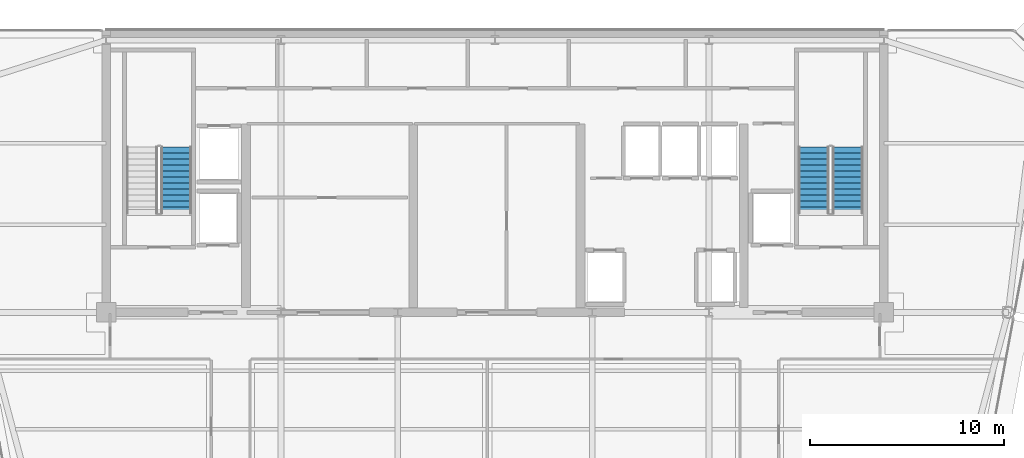
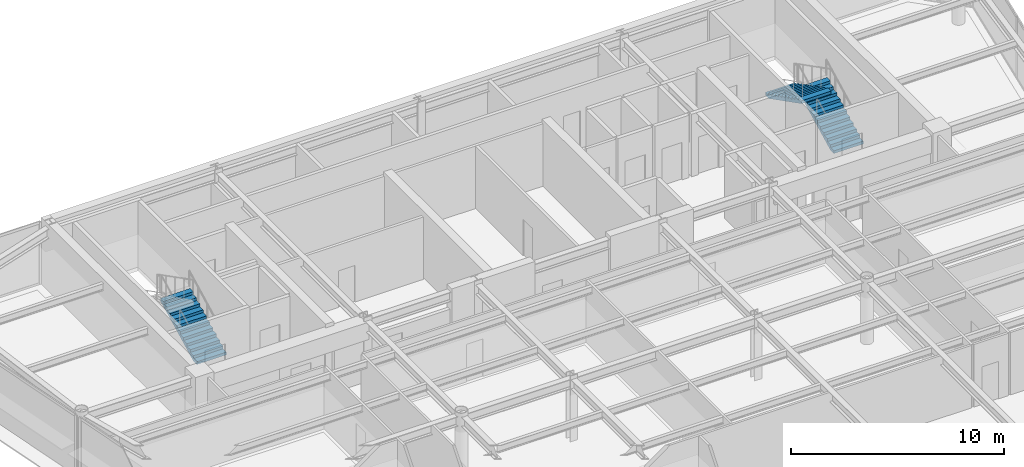
# One storey, part 12 of 19: 3 stair flights, 2 elements without a shape of their own.
"""IFC4 building model written with IfcOpenShell, lengths in metres."""

from ifc_helpers import new_model, si_unit, direction, frame, origin, place, context, subcontext, project, spatial, polyline, outline, extrude, material, type_object, element, aggregate, save


model = new_model("IFC4")

# Units and contexts
model_context = context("Model", 3, precision=1e-05, world=origin(), true_north=direction((0.0, 1.0)))
body_context = subcontext(model_context, "Body", "Model", "MODEL_VIEW")
ifc_project = project(units=[si_unit("LENGTHUNIT", "METRE"), si_unit("AREAUNIT", "SQUARE_METRE"), si_unit("VOLUMEUNIT", "CUBIC_METRE"), si_unit("PLANEANGLEUNIT", "RADIAN"), si_unit("MASSUNIT", "GRAM", prefix="KILO")], contexts=[model_context])

# Site, building, storey
site_placement = place(None, origin())
site = spatial("IfcSite", under=ifc_project, at=site_placement, CompositionType="ELEMENT")
building_placement = place(site_placement, origin())
building = spatial("IfcBuilding", under=site, at=building_placement, Name="Vaeldorn Concourse Tower", CompositionType="ELEMENT")
storey_placement = place(building_placement, frame((0.0, 0.0, 249.800048828125)))
storey = spatial("IfcBuildingStorey", under=building, at=storey_placement, Name="L64", CompositionType="ELEMENT", Elevation=249.800048828125)

# Stair, stair flight
ifc_material = material(Name="Precast concrete C40/50", Category="concrete")
stair_type = type_object("IfcStairType", Name="STR-DOG-24x158", PredefinedType="HALF_TURN_STAIR", material=ifc_material)
stair_1_placement = place(storey_placement, origin())
stair_1 = element("IfcStair", 1, at=stair_1_placement, inside=storey, type_object=stair_type, Name="L64 West Core Exit Stair ST-1", PredefinedType="HALF_TURN_STAIR")
stair_flight_type = type_object("IfcStairFlightType", Name="STF-STR-12x158", PredefinedType="STRAIGHT", material=ifc_material)
stair_flight_1_placement = place(storey_placement, frame((17.60009765625, 41.60009765625, 0.0), z_axis=(0.0, 0.0, 1.0), x_axis=(0.0, 1.0, 0.0)))
stair_flight_1 = element("IfcStairFlight", 2, at=stair_flight_1_placement, type_object=stair_flight_type, Name="ST-1 flight 1", NumberOfRisers=12, NumberOfTreads=11, PredefinedType="STRAIGHT", RiserHeight=0.158333333, TreadLength=0.31, context=body_context, shape_type="SweptSolid", body=[
    extrude(outline(polyline([(0.0, 0.0), (0.0, 0.158447265625), (0.31005859375, 0.158447265625), (0.31005859375, 0.316650390625), (0.6201171875, 0.316650390625), (0.6201171875, 0.47509765625), (0.929931640625, 0.47509765625), (0.929931640625, 0.63330078125), (1.239990234375, 0.63330078125), (1.239990234375, 0.791748046875), (1.550048828125, 0.791748046875), (1.550048828125, 0.949951171875), (1.860107421875, 0.949951171875), (1.860107421875, 1.1083984375), (2.169921875, 1.1083984375), (2.169921875, 1.2666015625), (2.47998046875, 1.2666015625), (2.47998046875, 1.425048828125), (2.7900390625, 1.425048828125), (2.7900390625, 1.583251953125), (3.10009765625, 1.583251953125), (3.10009765625, 1.74169921875), (3.409912109375, 1.74169921875), (3.409912109375, 1.89990234375), (3.409912109375, 1.5732421875), (0.32958984375, 0.0), (0.0, 0.0)])), frame((0.0, 0.800048828125, 0.0), z_axis=(0.0, -1.0, 0.0), x_axis=(1.0, 0.0, 0.0)), (0.0, 0.0, 1.0), 1.60009765625),
])
aggregate(stair_1, [stair_flight_1])

# Stair, stair flights
stair_2_placement = place(storey_placement, origin())
stair_2 = element("IfcStair", 3, at=stair_2_placement, inside=storey, type_object=stair_type, Name="L64 East Core Exit Stair ST-2", PredefinedType="HALF_TURN_STAIR")
stair_flight_2_placement = place(storey_placement, frame((52.14990234375, 41.60009765625, 0.0), z_axis=(0.0, 0.0, 1.0), x_axis=(0.0, 1.0, 0.0)))
stair_flight_2 = element("IfcStairFlight", 4, at=stair_flight_2_placement, type_object=stair_flight_type, Name="ST-2 flight 1", NumberOfRisers=12, NumberOfTreads=11, PredefinedType="STRAIGHT", RiserHeight=0.158333333, TreadLength=0.31, context=body_context, shape_type="SweptSolid", body=[
    extrude(outline(polyline([(0.0, 0.0), (0.0, 0.158447265625), (0.31005859375, 0.158447265625), (0.31005859375, 0.316650390625), (0.6201171875, 0.316650390625), (0.6201171875, 0.47509765625), (0.929931640625, 0.47509765625), (0.929931640625, 0.63330078125), (1.239990234375, 0.63330078125), (1.239990234375, 0.791748046875), (1.550048828125, 0.791748046875), (1.550048828125, 0.949951171875), (1.860107421875, 0.949951171875), (1.860107421875, 1.1083984375), (2.169921875, 1.1083984375), (2.169921875, 1.2666015625), (2.47998046875, 1.2666015625), (2.47998046875, 1.425048828125), (2.7900390625, 1.425048828125), (2.7900390625, 1.583251953125), (3.10009765625, 1.583251953125), (3.10009765625, 1.74169921875), (3.409912109375, 1.74169921875), (3.409912109375, 1.89990234375), (3.409912109375, 1.5732421875), (0.32958984375, 0.0), (0.0, 0.0)])), frame((0.0, 0.800048828125, 0.0), z_axis=(0.0, -1.0, 0.0), x_axis=(1.0, 0.0, 0.0)), (0.0, 0.0, 1.0), 1.60009765625),
])
stair_flight_3_placement = place(storey_placement, frame((50.39990234375, 45.010009765625, 1.89990234375), z_axis=(0.0, 0.0, 1.0), x_axis=(0.0, -1.0, 0.0)))
stair_flight_3 = element("IfcStairFlight", 5, at=stair_flight_3_placement, type_object=stair_flight_type, Name="ST-2 flight 2", NumberOfRisers=12, NumberOfTreads=11, PredefinedType="STRAIGHT", RiserHeight=0.158333333, TreadLength=0.31, context=body_context, shape_type="SweptSolid", body=[
    extrude(outline(polyline([(0.0, 0.0), (0.0, 0.158447265625), (0.31005859375, 0.158447265625), (0.31005859375, 0.316650390625), (0.6201171875, 0.316650390625), (0.6201171875, 0.47509765625), (0.929931640625, 0.47509765625), (0.929931640625, 0.63330078125), (1.239990234375, 0.63330078125), (1.239990234375, 0.791748046875), (1.550048828125, 0.791748046875), (1.550048828125, 0.949951171875), (1.860107421875, 0.949951171875), (1.860107421875, 1.1083984375), (2.169921875, 1.1083984375), (2.169921875, 1.2666015625), (2.47998046875, 1.2666015625), (2.47998046875, 1.425048828125), (2.7900390625, 1.425048828125), (2.7900390625, 1.583251953125), (3.10009765625, 1.583251953125), (3.10009765625, 1.74169921875), (3.409912109375, 1.74169921875), (3.409912109375, 1.89990234375), (3.409912109375, 1.5732421875), (0.32958984375, 0.0), (0.0, 0.0)])), frame((0.0, 0.800048828125, 0.0), z_axis=(0.0, -1.0, 0.0), x_axis=(1.0, 0.0, 0.0)), (0.0, 0.0, 1.0), 1.60009765625),
])
aggregate(stair_2, [stair_flight_2, stair_flight_3])

save(model, "model.ifc")
